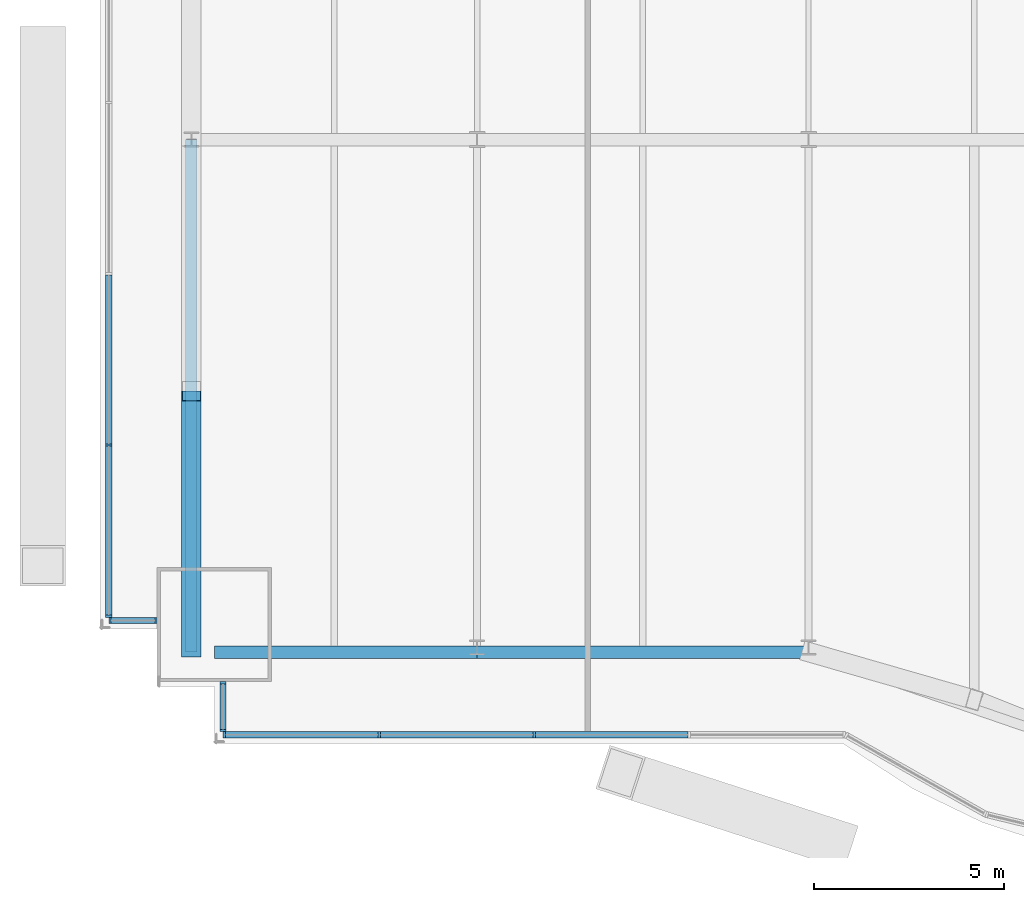
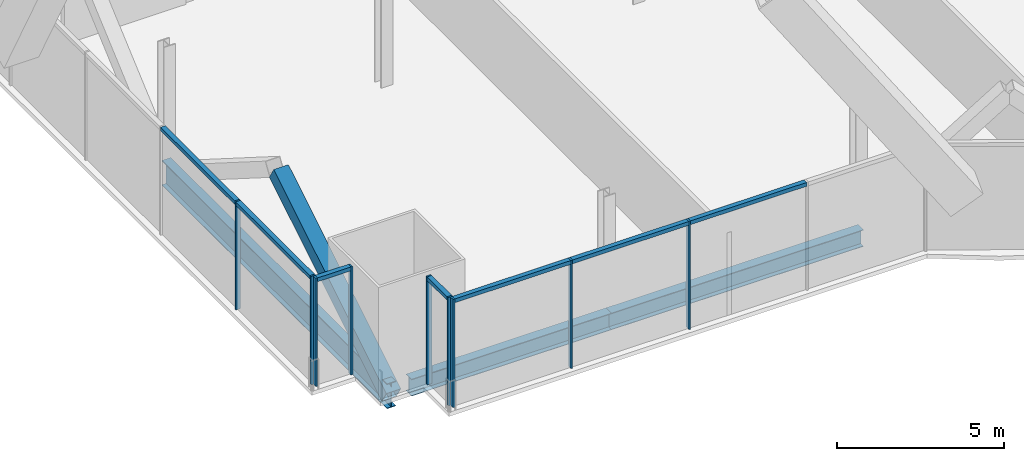
# One storey, part 4 of 23: 17 members, 3 beams, 4 elements without a shape of their own.
"""IFC4 building model written with IfcOpenShell, lengths in metres."""

import ifcopenshell
import ifcopenshell.guid

model = None  # the IFC model being written
_history = None  # IfcOwnerHistory: only IFC2X3 demands one
_inside = {}  # id of a spatial element -> (the spatial element, [elements in it])
_under = {}  # id of a project, library or spatial element -> (it, [spatial elements below it])
_declared = {}  # id of a project -> (the project, [libraries it declares])
_typed = {}  # id of a type object -> (the type object, [elements of that type])
_made_of = {}  # id of a material, layer set ... -> (it, [elements and type objects made of it])


def new_model(schema):
    """Start an empty IFC model of exactly this schema.

    Asked for "IFC4X3", IfcOpenShell would pick the latest addendum, in which some entities
    have other attributes; the version numbers below select the first issue.
    IFC2X3 requires an IfcOwnerHistory on every rooted entity: one is made here for all.
    """
    global model, _history
    if schema == "IFC4X3":
        model = ifcopenshell.file(schema_version=(4, 3, 0, 0))
    else:
        model = ifcopenshell.file(schema=schema)
    _inside.clear()
    _under.clear()
    _declared.clear()
    _typed.clear()
    _made_of.clear()
    _history = None
    if model.schema == "IFC2X3":
        org = make("IfcOrganization", Name="unknown")
        user = make(
            "IfcPersonAndOrganization",
            ThePerson=make("IfcPerson", FamilyName="unknown"),
            TheOrganization=org,
        )
        app = make(
            "IfcApplication",
            ApplicationDeveloper=org,
            Version="unknown",
            ApplicationFullName="unknown",
            ApplicationIdentifier="unknown",
        )
        _history = make(
            "IfcOwnerHistory",
            OwningUser=user,
            OwningApplication=app,
            ChangeAction="ADDED",
            CreationDate=0,
        )
    return model


def make(cls, **values):
    """One entity of the class cls with the attributes given. An attribute that is None is left unset."""
    return model.create_entity(
        cls, **{name: value for name, value in values.items() if value is not None}
    )


def rooted(cls, **values):
    """An entity with a GlobalId (a new one), such as an element, a storey or a relation."""
    return make(cls, GlobalId=ifcopenshell.guid.new(), OwnerHistory=_history, **values)


def si_unit(unit_type, name, prefix=None):
    """IfcSIUnit, for example si_unit("LENGTHUNIT", "METRE", prefix="MILLI")."""
    return make("IfcSIUnit", UnitType=unit_type, Prefix=prefix, Name=name)


def assignment(units):
    """IfcUnitAssignment: the units of a project."""
    return None if units is None else make("IfcUnitAssignment", Units=units)


def point(xyz):
    """IfcCartesianPoint."""
    return None if xyz is None else make("IfcCartesianPoint", Coordinates=xyz)


def direction(xyz):
    """IfcDirection."""
    return None if xyz is None else make("IfcDirection", DirectionRatios=xyz)


def frame(location, z_axis=None, x_axis=None):
    """IfcAxis2Placement3D, a coordinate frame: its origin and axes. An axis left out is left unset."""
    return make(
        "IfcAxis2Placement3D",
        Location=point(location),
        Axis=direction(z_axis),
        RefDirection=direction(x_axis),
    )


def frame_2d(location, x_axis=None):
    """IfcAxis2Placement2D, a coordinate frame in the plane: its origin and x axis."""
    return make(
        "IfcAxis2Placement2D", Location=point(location), RefDirection=direction(x_axis)
    )


def origin():
    """The frame at (0, 0, 0) with its axes left unset."""
    return frame((0.0, 0.0, 0.0))


def origin_2d():
    """The frame at (0, 0) in the plane with its x axis left unset."""
    return frame_2d((0.0, 0.0))


def place(relative_to, where):
    """IfcLocalPlacement: puts the frame where relative to a parent placement (None: the world)."""
    return make(
        "IfcLocalPlacement", PlacementRelTo=relative_to, RelativePlacement=where
    )


def context(
    kind, dimensions, precision=None, world=None, true_north=None, identifier=None
):
    """IfcGeometricRepresentationContext, for example the 3D "Model" context."""
    return make(
        "IfcGeometricRepresentationContext",
        ContextIdentifier=identifier,
        ContextType=kind,
        CoordinateSpaceDimension=dimensions,
        Precision=precision,
        WorldCoordinateSystem=world,
        TrueNorth=true_north,
    )


def subcontext(parent, identifier, kind, view, scale=None):
    """IfcGeometricRepresentationSubContext, for example "Body" below "Model"."""
    return make(
        "IfcGeometricRepresentationSubContext",
        ContextIdentifier=identifier,
        ContextType=kind,
        ParentContext=parent,
        TargetScale=scale,
        TargetView=view,
    )


def project(units=None, contexts=None):
    """IfcProject with its units and contexts."""
    return rooted(
        "IfcProject",
        Name="project",
        RepresentationContexts=contexts,
        UnitsInContext=assignment(units),
    )


def spatial(cls, under=None, at=None, **own):
    """A site, building, storey or space (cls), placed at a placement, below another one or the project."""
    s = rooted(cls, ObjectPlacement=at, **own)
    if under is not None:
        _under.setdefault(under.id(), (under, []))[1].append(s)
    return s


def profile(cls, at=None, kind="AREA", **sizes):
    """A parametric profile (cls). Its sizes go by their IFC names, for example OverallWidth=200.0."""
    return make(cls, ProfileType=kind, Position=at, **sizes)


def rectangle(**sizes):
    """IfcRectangleProfileDef."""
    return profile("IfcRectangleProfileDef", **sizes)


def hollow_rectangle(**sizes):
    """IfcRectangleHollowProfileDef."""
    return profile("IfcRectangleHollowProfileDef", **sizes)


def i_section(**sizes):
    """IfcIShapeProfileDef."""
    return profile("IfcIShapeProfileDef", **sizes)


def extrude(swept, where, along, depth):
    """IfcExtrudedAreaSolid: the profile swept, set in the frame where, extruded along a direction by depth."""
    return make(
        "IfcExtrudedAreaSolid",
        SweptArea=swept,
        Position=where,
        ExtrudedDirection=direction(along),
        Depth=depth,
    )


def shape(context_of_items, identifier, shape_type, items):
    """IfcShapeRepresentation: the items that make up one representation, for example the "Body"."""
    return make(
        "IfcShapeRepresentation",
        ContextOfItems=context_of_items,
        RepresentationIdentifier=identifier,
        RepresentationType=shape_type,
        Items=items,
    )


def material(Name=None, Category=None):
    """IfcMaterial."""
    return make("IfcMaterial", Name=Name, Category=Category)


def material_profile(
    of_material, cross_section, Name=None, Category=None, Priority=None
):
    """IfcMaterialProfile: a cross section and its material."""
    return make(
        "IfcMaterialProfile",
        Name=Name,
        Material=of_material,
        Profile=cross_section,
        Priority=Priority,
        Category=Category,
    )


def profile_set(profiles, Name=None, composite=None):
    """IfcMaterialProfileSet."""
    return make(
        "IfcMaterialProfileSet",
        Name=Name,
        MaterialProfiles=profiles,
        CompositeProfile=composite,
    )


def made_of(thing, what):
    """Note that an element or type object is made of a material, layer set ...; save() writes the relation."""
    if what is not None:
        _made_of.setdefault(what.id(), (what, []))[1].append(thing)
    return thing


def type_object(cls, material=None, **own):
    """A type object (cls), such as IfcWallType, which elements share."""
    return made_of(rooted(cls, **own), material)


def element(
    cls,
    number,
    at=None,
    inside=None,
    cuts=None,
    type_object=None,
    material=None,
    context=None,
    identifier="Body",
    shape_type=None,
    held_by="IfcProductDefinitionShape",
    body=None,
    shapes=None,
    **own,
):
    """One element of the class cls, such as IfcWall. Its Tag is "e" and its number.

    at: its placement. inside: the storey or other place that contains it. cuts: it is an
    opening in that element (IfcRelVoidsElement). A single representation is given by context,
    identifier, shape_type and body (its items); several are given by shapes. held_by: the class
    of the entity that holds the representations. save() writes the other relations.
    """
    e = rooted(cls, Tag="e%d" % number, ObjectPlacement=at, **own)
    if body is not None:
        shapes = [shape(context, identifier, shape_type, body)]
    if shapes is not None:
        e.Representation = make(held_by, Representations=shapes)
    if inside is not None:
        _inside.setdefault(inside.id(), (inside, []))[1].append(e)
    if cuts is not None:
        rooted(
            "IfcRelVoidsElement", RelatingBuildingElement=cuts, RelatedOpeningElement=e
        )
    if type_object is not None:
        _typed.setdefault(type_object.id(), (type_object, []))[1].append(e)
    return made_of(e, material)


def aggregate(whole, parts):
    """IfcRelAggregates: a whole, such as a stair, and the parts it consists of."""
    return rooted("IfcRelAggregates", RelatingObject=whole, RelatedObjects=parts)


def save(model, path):
    """Write the relations noted so far, then the file.

    IfcRelAggregates (storeys below a building ...), IfcRelContainedInSpatialStructure (elements
    in a storey), IfcRelDefinesByType, IfcRelAssociatesMaterial and IfcRelDeclares: one each for
    every whole, place, type object, material and project.
    """
    for whole, parts in _under.values():
        aggregate(whole, parts)
    for where, things in _inside.values():
        rooted(
            "IfcRelContainedInSpatialStructure",
            RelatedElements=things,
            RelatingStructure=where,
        )
    for kind, things in _typed.values():
        rooted("IfcRelDefinesByType", RelatedObjects=things, RelatingType=kind)
    for what, things in _made_of.values():
        rooted("IfcRelAssociatesMaterial", RelatedObjects=things, RelatingMaterial=what)
    for by, libraries in _declared.values():
        rooted("IfcRelDeclares", RelatingContext=by, RelatedDefinitions=libraries)
    model.write(path)


model = new_model("IFC4")

# Units and contexts
model_context = context("Model", 3, precision=1e-05, world=origin(), true_north=direction((0.0, 1.0)))
body_context = subcontext(model_context, "Body", "Model", "MODEL_VIEW")
ifc_project = project(units=[si_unit("LENGTHUNIT", "METRE"), si_unit("AREAUNIT", "SQUARE_METRE"), si_unit("VOLUMEUNIT", "CUBIC_METRE"), si_unit("PLANEANGLEUNIT", "RADIAN"), si_unit("MASSUNIT", "GRAM", prefix="KILO")], contexts=[model_context])

# Site, building, storey
site_placement = place(None, origin())
site = spatial("IfcSite", under=ifc_project, at=site_placement, CompositionType="ELEMENT")
building_placement = place(site_placement, origin())
building = spatial("IfcBuilding", under=site, at=building_placement, Name="Bicima Exchange Tower", CompositionType="ELEMENT")
storey_placement = place(building_placement, frame((0.0, 0.0, 110.39990234375)))
storey = spatial("IfcBuildingStorey", under=building, at=storey_placement, Name="L23", CompositionType="ELEMENT", Elevation=110.39990234375)

# Curtain wall, members
ifc_material_1 = material(Name="Anodised bronze aluminium", Category="aluminium")
curtain_wall_type_1 = type_object("IfcCurtainWallType", Name="End face glass wall", PredefinedType="NOTDEFINED", material=ifc_material_1)
curtain_wall_1_placement = place(storey_placement, origin())
curtain_wall_1 = element("IfcCurtainWall", 1, at=curtain_wall_1_placement, inside=storey, type_object=curtain_wall_type_1, Name="End face glass wall L23 run 2", PredefinedType="NOTDEFINED")
ifc_material_profile_1 = material_profile(ifc_material_1, rectangle(XDim=0.159912109375, YDim=0.06005859375, at=origin_2d()))
ifc_profile_set_1 = profile_set([ifc_material_profile_1], Name="Anodised bronze aluminium")
member_type_1 = type_object("IfcMemberType", Name="End face glass wall mullion 60 x 160", PredefinedType="MULLION", material=ifc_profile_set_1)
member_1_placement = place(storey_placement, frame((-35.77001953125, -30.015625, 0.0), z_axis=(0.0, 0.0, 1.0), x_axis=(1.0, 0.0, 0.0)))
member_1 = element("IfcMember", 2, at=member_1_placement, type_object=member_type_1, Name="End face glass wall mullion 5", PredefinedType="MULLION", context=body_context, shape_type="SweptSolid", body=[
    extrude(rectangle(XDim=0.159912109375, YDim=0.06005859375, at=origin_2d()), origin(), (0.0, 0.0, 1.0), 3.9501953125),
])
member_2_placement = place(storey_placement, frame((-35.77001953125, -34.511962890625, 0.0), z_axis=(0.0, 0.0, 1.0), x_axis=(1.0, 0.0, 0.0)))
member_2 = element("IfcMember", 3, at=member_2_placement, type_object=member_type_1, Name="End face glass wall mullion 6", PredefinedType="MULLION", context=body_context, shape_type="SweptSolid", body=[
    extrude(rectangle(XDim=0.159912109375, YDim=0.06005859375, at=origin_2d()), origin(), (0.0, 0.0, 1.0), 3.9501953125),
])
ifc_material_profile_2 = material_profile(ifc_material_1, rectangle(XDim=0.159912109375, YDim=0.139892578125, at=origin_2d()))
ifc_profile_set_2 = profile_set([ifc_material_profile_2], Name="Anodised bronze aluminium")
member_type_2 = type_object("IfcMemberType", Name="End face glass wall transom 140 x 160", PredefinedType="USERDEFINED", material=ifc_profile_set_2)
member_3_placement = place(storey_placement, frame((-35.77001953125, -25.54931640625, 3.880126953125), z_axis=(0.0, -1.0, 0.0), x_axis=(1.0, 0.0, 0.0)))
member_3 = element("IfcMember", 4, at=member_3_placement, type_object=member_type_2, Name="End face glass wall transom 4.1", ObjectType="TRANSOM", PredefinedType="USERDEFINED", context=body_context, shape_type="SweptSolid", body=[
    extrude(rectangle(XDim=0.159912109375, YDim=0.139892578125, at=origin_2d()), origin(), (0.0, 0.0, 1.0), 4.436279296875),
])
member_4_placement = place(storey_placement, frame((-35.77001953125, -30.045654296875, 3.880126953125), z_axis=(0.0, -1.0, 0.0), x_axis=(1.0, 0.0, 0.0)))
member_4 = element("IfcMember", 5, at=member_4_placement, type_object=member_type_2, Name="End face glass wall transom 5.1", ObjectType="TRANSOM", PredefinedType="USERDEFINED", context=body_context, shape_type="SweptSolid", body=[
    extrude(rectangle(XDim=0.159912109375, YDim=0.139892578125, at=origin_2d()), origin(), (0.0, 0.0, 1.0), 4.436279296875),
])
aggregate(curtain_wall_1, [member_1, member_2, member_3, member_4])

# Beams
ifc_material_2 = material(Name="Steel ASTM A992 Gr 50", Category="steel")
ifc_material_profile_3 = material_profile(ifc_material_2, i_section(OverallWidth=0.3046875, OverallDepth=0.911865234375, WebThickness=0.015869140625, FlangeThickness=0.02392578125, at=origin_2d()))
ifc_profile_set_3 = profile_set([ifc_material_profile_3], Name="Steel ASTM A992 Gr 50")
beam_type_1 = type_object("IfcBeamType", Name="End girder W36x150", PredefinedType="BEAM", material=ifc_profile_set_3)
beam_1_placement = place(storey_placement, frame((-33.60009765625, -22.0, -0.605712890625), z_axis=(0.0, -1.0, 0.0), x_axis=(1.0, 0.0, 0.0)))
element("IfcBeam", 6, at=beam_1_placement, inside=storey, type_object=beam_type_1, Name="End girder", PredefinedType="BEAM", context=body_context, shape_type="SweptSolid", body=[
    extrude(i_section(OverallWidth=0.3046875, OverallDepth=0.911865234375, WebThickness=0.015869140625, FlangeThickness=0.02392578125, at=origin_2d()), origin(), (0.0, 0.0, 1.0), 13.451904296875),
])
ifc_material_profile_4 = material_profile(ifc_material_2, i_section(OverallWidth=0.3251953125, OverallDepth=0.612060546875, WebThickness=0.0126953125, FlangeThickness=0.01904296875, at=origin_2d()))
ifc_profile_set_4 = profile_set([ifc_material_profile_4], Name="Steel ASTM A992 Gr 50")
beam_type_2 = type_object("IfcBeamType", Name="Front girder W24x104", PredefinedType="BEAM", material=ifc_profile_set_4)
beam_2_placement = place(storey_placement, frame((-33.0, -35.451904296875, -0.4560546875), z_axis=(1.0, 0.0, 0.0), x_axis=(0.0, 1.0, 0.0)))
element("IfcBeam", 7, at=beam_2_placement, inside=storey, type_object=beam_type_2, Name="Front girder", PredefinedType="BEAM", context=body_context, shape_type="SweptSolid", body=[
    extrude(i_section(OverallWidth=0.3251953125, OverallDepth=0.612060546875, WebThickness=0.0126953125, FlangeThickness=0.01904296875, at=origin_2d()), origin(), (0.0, 0.0, 1.0), 6.89990234375),
])
beam_3_placement = place(storey_placement, frame((-26.10009765625, -35.451904296875, -0.4560546875), z_axis=(1.0, 0.0, 0.0), x_axis=(0.0, 1.0, 0.0)))
element("IfcBeam", 8, at=beam_3_placement, inside=storey, type_object=beam_type_2, Name="Front girder", PredefinedType="BEAM", context=body_context, shape_type="SweptSolid", body=[
    extrude(i_section(OverallWidth=0.3251953125, OverallDepth=0.612060546875, WebThickness=0.0126953125, FlangeThickness=0.01904296875, at=origin_2d()), origin(), (0.0, 0.0, 1.0), 8.7001953125),
])

# Curtain wall, members
curtain_wall_type_2 = type_object("IfcCurtainWallType", Name="Front glass wall", PredefinedType="NOTDEFINED", material=ifc_material_1)
curtain_wall_2_placement = place(storey_placement, origin())
curtain_wall_2 = element("IfcCurtainWall", 9, at=curtain_wall_2_placement, inside=storey, type_object=curtain_wall_type_2, Name="Front glass wall L23 run 3", PredefinedType="NOTDEFINED")
member_type_3 = type_object("IfcMemberType", Name="Front glass wall mullion 60 x 160", PredefinedType="MULLION", material=ifc_profile_set_1)
member_5_placement = place(storey_placement, frame((-35.739990234375, -34.6220703125, 0.0), z_axis=(0.0, 0.0, 1.0), x_axis=(0.0, 1.0, 0.0)))
member_5 = element("IfcMember", 10, at=member_5_placement, type_object=member_type_3, Name="Front glass wall mullion 1", PredefinedType="MULLION", context=body_context, shape_type="SweptSolid", body=[
    extrude(rectangle(XDim=0.159912109375, YDim=0.06005859375, at=origin_2d()), origin(), (0.0, 0.0, 1.0), 3.9501953125),
])
member_6_placement = place(storey_placement, frame((-34.530029296875, -34.6220703125, 0.0), z_axis=(0.0, 0.0, 1.0), x_axis=(0.0, 1.0, 0.0)))
member_6 = element("IfcMember", 11, at=member_6_placement, type_object=member_type_3, Name="Front glass wall mullion 2", PredefinedType="MULLION", context=body_context, shape_type="SweptSolid", body=[
    extrude(rectangle(XDim=0.159912109375, YDim=0.06005859375, at=origin_2d()), origin(), (0.0, 0.0, 1.0), 3.9501953125),
])

curtain_wall_3_placement = place(storey_placement, origin())
curtain_wall_3 = element("IfcCurtainWall", 12, at=curtain_wall_3_placement, inside=storey, type_object=curtain_wall_type_2, Name="Front glass wall L23 run 4", PredefinedType="NOTDEFINED")
member_7_placement = place(storey_placement, frame((-32.77001953125, -36.260009765625, 0.0), z_axis=(0.0, 0.0, 1.0), x_axis=(1.0, 0.0, 0.0)))
member_7 = element("IfcMember", 13, at=member_7_placement, type_object=member_type_3, Name="Front glass wall mullion 1", PredefinedType="MULLION", context=body_context, shape_type="SweptSolid", body=[
    extrude(rectangle(XDim=0.159912109375, YDim=0.06005859375, at=origin_2d()), origin(), (0.0, 0.0, 1.0), 3.9501953125),
])
member_8_placement = place(storey_placement, frame((-32.77001953125, -37.511962890625, 0.0), z_axis=(0.0, 0.0, 1.0), x_axis=(1.0, 0.0, 0.0)))
member_8 = element("IfcMember", 14, at=member_8_placement, type_object=member_type_3, Name="Front glass wall mullion 2", PredefinedType="MULLION", context=body_context, shape_type="SweptSolid", body=[
    extrude(rectangle(XDim=0.159912109375, YDim=0.06005859375, at=origin_2d()), origin(), (0.0, 0.0, 1.0), 3.9501953125),
])

curtain_wall_4_placement = place(storey_placement, origin())
curtain_wall_4 = element("IfcCurtainWall", 15, at=curtain_wall_4_placement, inside=storey, type_object=curtain_wall_type_2, Name="Front glass wall L23 run 5", PredefinedType="NOTDEFINED")
member_9_placement = place(storey_placement, frame((-32.739990234375, -37.6220703125, 0.0), z_axis=(0.0, 0.0, 1.0), x_axis=(0.0, 1.0, 0.0)))
member_9 = element("IfcMember", 16, at=member_9_placement, type_object=member_type_3, Name="Front glass wall mullion 1", PredefinedType="MULLION", context=body_context, shape_type="SweptSolid", body=[
    extrude(rectangle(XDim=0.159912109375, YDim=0.06005859375, at=origin_2d()), origin(), (0.0, 0.0, 1.0), 3.9501953125),
])
member_10_placement = place(storey_placement, frame((-28.67041015625, -37.6220703125, 0.0), z_axis=(0.0, 0.0, 1.0), x_axis=(0.0, 1.0, 0.0)))
member_10 = element("IfcMember", 17, at=member_10_placement, type_object=member_type_3, Name="Front glass wall mullion 2", PredefinedType="MULLION", context=body_context, shape_type="SweptSolid", body=[
    extrude(rectangle(XDim=0.159912109375, YDim=0.06005859375, at=origin_2d()), origin(), (0.0, 0.0, 1.0), 3.9501953125),
])
member_11_placement = place(storey_placement, frame((-24.60107421875, -37.6220703125, 0.0), z_axis=(0.0, 0.0, 1.0), x_axis=(0.0, 1.0, 0.0)))
member_11 = element("IfcMember", 18, at=member_11_placement, type_object=member_type_3, Name="Front glass wall mullion 3", PredefinedType="MULLION", context=body_context, shape_type="SweptSolid", body=[
    extrude(rectangle(XDim=0.159912109375, YDim=0.06005859375, at=origin_2d()), origin(), (0.0, 0.0, 1.0), 3.9501953125),
])

# Member
member_type_4 = type_object("IfcMemberType", Name="Front glass wall transom 140 x 160", PredefinedType="USERDEFINED", material=ifc_profile_set_2)
member_12_placement = place(storey_placement, frame((-35.7099609375, -34.6220703125, 3.880126953125), z_axis=(1.0, 0.0, 0.0), x_axis=(0.0, 1.0, 0.0)))
member_12 = element("IfcMember", 19, at=member_12_placement, type_object=member_type_4, Name="Front glass wall transom 1.1", ObjectType="TRANSOM", PredefinedType="USERDEFINED", context=body_context, shape_type="SweptSolid", body=[
    extrude(rectangle(XDim=0.159912109375, YDim=0.139892578125, at=origin_2d()), origin(), (0.0, 0.0, 1.0), 1.14990234375),
])

aggregate(curtain_wall_2, [member_5, member_6, member_12])

member_13_placement = place(storey_placement, frame((-32.77001953125, -36.2900390625, 3.880126953125), z_axis=(0.0, -1.0, 0.0), x_axis=(1.0, 0.0, 0.0)))
member_13 = element("IfcMember", 20, at=member_13_placement, type_object=member_type_4, Name="Front glass wall transom 1.1", ObjectType="TRANSOM", PredefinedType="USERDEFINED", context=body_context, shape_type="SweptSolid", body=[
    extrude(rectangle(XDim=0.159912109375, YDim=0.139892578125, at=origin_2d()), origin(), (0.0, 0.0, 1.0), 1.19189453125),
])

aggregate(curtain_wall_3, [member_7, member_8, member_13])

member_14_placement = place(storey_placement, frame((-32.7099609375, -37.6220703125, 3.880126953125), z_axis=(1.0, 0.0, 0.0), x_axis=(0.0, 1.0, 0.0)))
member_14 = element("IfcMember", 21, at=member_14_placement, type_object=member_type_4, Name="Front glass wall transom 1.1", ObjectType="TRANSOM", PredefinedType="USERDEFINED", context=body_context, shape_type="SweptSolid", body=[
    extrude(rectangle(XDim=0.159912109375, YDim=0.139892578125, at=origin_2d()), origin(), (0.0, 0.0, 1.0), 4.009521484375),
])

member_15_placement = place(storey_placement, frame((-28.640380859375, -37.6220703125, 3.880126953125), z_axis=(1.0, 0.0, 0.0), x_axis=(0.0, 1.0, 0.0)))
member_15 = element("IfcMember", 22, at=member_15_placement, type_object=member_type_4, Name="Front glass wall transom 2.1", ObjectType="TRANSOM", PredefinedType="USERDEFINED", context=body_context, shape_type="SweptSolid", body=[
    extrude(rectangle(XDim=0.159912109375, YDim=0.139892578125, at=origin_2d()), origin(), (0.0, 0.0, 1.0), 4.00927734375),
])

member_16_placement = place(storey_placement, frame((-24.571044921875, -37.6220703125, 3.880126953125), z_axis=(1.0, 0.0, 0.0), x_axis=(0.0, 1.0, 0.0)))
member_16 = element("IfcMember", 23, at=member_16_placement, type_object=member_type_4, Name="Front glass wall transom 3.1", ObjectType="TRANSOM", PredefinedType="USERDEFINED", context=body_context, shape_type="SweptSolid", body=[
    extrude(rectangle(XDim=0.159912109375, YDim=0.139892578125, at=origin_2d()), origin(), (0.0, 0.0, 1.0), 4.009521484375),
])

aggregate(curtain_wall_4, [member_9, member_10, member_11, member_14, member_15, member_16])

ifc_material_3 = material(Name="Steel ASTM A572 Gr 50", Category="steel")
ifc_material_profile_5 = material_profile(ifc_material_3, hollow_rectangle(XDim=0.508056640625, YDim=0.508056640625, WallThickness=0.0146484375, at=origin_2d()))
ifc_profile_set_5 = profile_set([ifc_material_profile_5], Name="Steel ASTM A572 Gr 50")
member_type_5 = type_object("IfcMemberType", Name="Mega brace HSS20x20x5/8", PredefinedType="BRACE", material=ifc_profile_set_5)
member_17_placement = place(storey_placement, frame((-33.60009765625, -35.451904296875, -0.605712890625), z_axis=(0.0, 0.85386740407, 0.52049059191), x_axis=(-1.0, 0.0, 0.0)))
element("IfcMember", 24, at=member_17_placement, inside=storey, type_object=member_type_5, Name="Mega brace west end", PredefinedType="BRACE", context=body_context, shape_type="SweptSolid", body=[
    extrude(hollow_rectangle(XDim=0.508056640625, YDim=0.508056640625, WallThickness=0.0146484375, at=origin_2d()), origin(), (0.0, 0.0, 1.0), 7.876953125),
])

save(model, "model.ifc")
